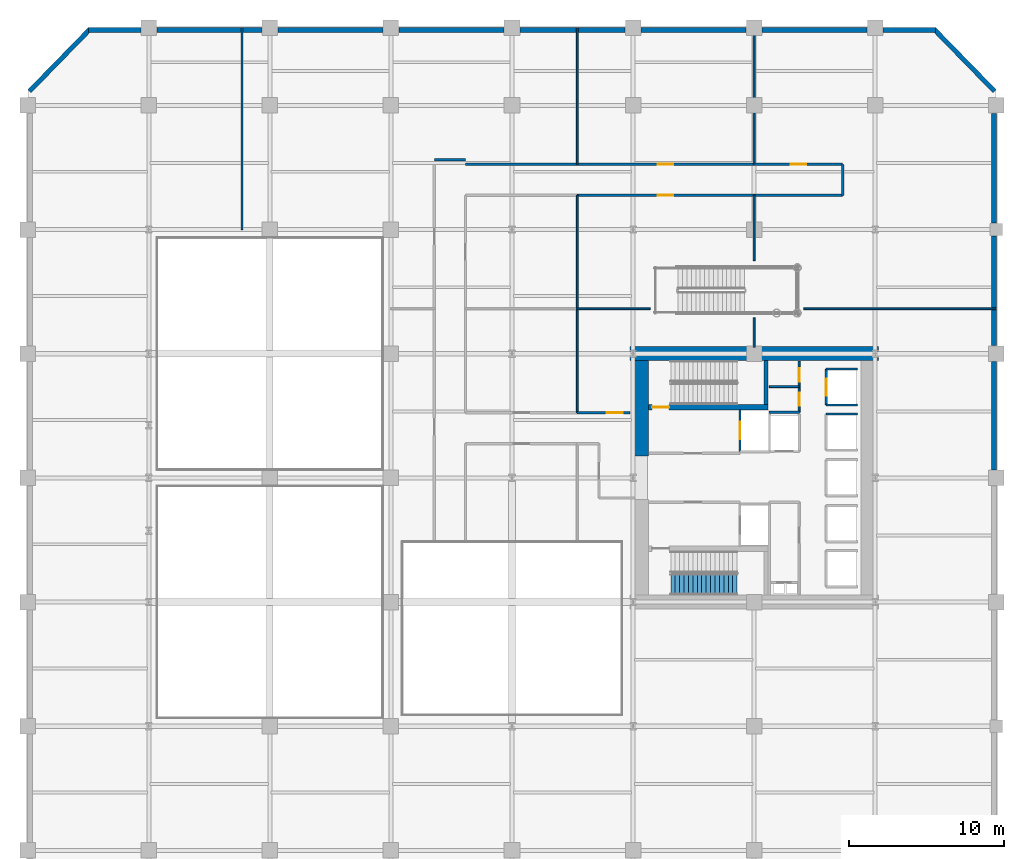
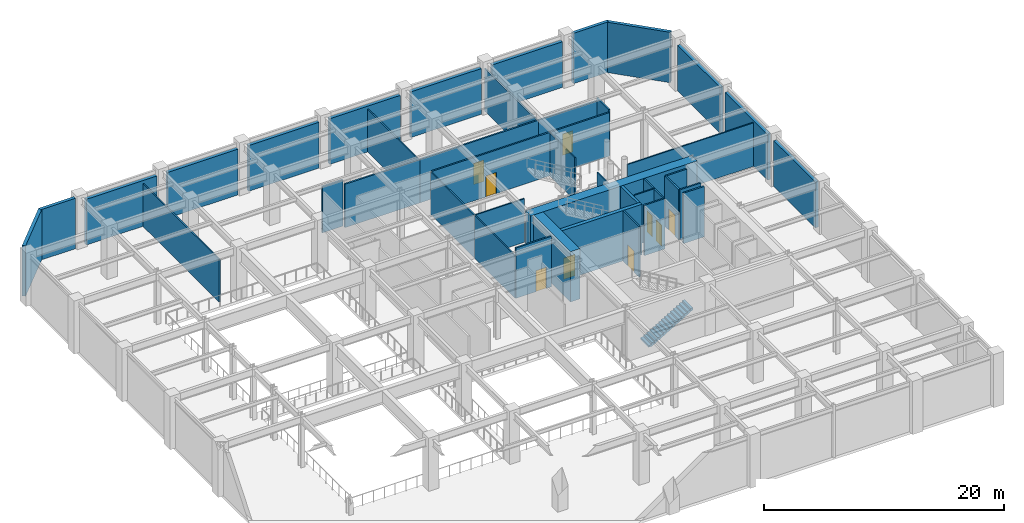
# One storey, part 10 of 15: 42 walls, 9 doors, 1 stair flight, 9 openings, 1 element without a shape of its own.
"""IFC4 building model written with IfcOpenShell, lengths in metres."""

from ifc_helpers import new_model, si_unit, direction, frame, frame_2d, origin, place, context, subcontext, project, spatial, polyline, rectangle, outline, extrude, material, layer, layer_set, type_object, element, fill, aggregate, save


model = new_model("IFC4")

# Units and contexts
model_context = context("Model", 3, precision=1e-05, world=origin(), true_north=direction((0.0, 1.0)))
body_context = subcontext(model_context, "Body", "Model", "MODEL_VIEW")
ifc_project = project(units=[si_unit("LENGTHUNIT", "METRE"), si_unit("AREAUNIT", "SQUARE_METRE"), si_unit("VOLUMEUNIT", "CUBIC_METRE"), si_unit("PLANEANGLEUNIT", "RADIAN"), si_unit("MASSUNIT", "GRAM", prefix="KILO")], contexts=[model_context])

# Site, building, storey
site_placement = place(None, origin())
site = spatial("IfcSite", under=ifc_project, at=site_placement, CompositionType="ELEMENT")
building_placement = place(site_placement, origin())
building = spatial("IfcBuilding", under=site, at=building_placement, Name="Veymaron Broadcast Tower", CompositionType="ELEMENT")
storey_placement = place(building_placement, frame((0.0, 0.0, 5.39990234375)))
storey = spatial("IfcBuildingStorey", under=building, at=storey_placement, Name="L01", CompositionType="ELEMENT", Elevation=5.39990234375)

# Walls
ifc_material_1 = material(Name="Precast concrete C40/50 with mineral-wool insulation", Category="concrete")
ifc_layer_1 = layer(ifc_material_1, 0.300048828125)
ifc_layer_set_1 = layer_set([ifc_layer_1], Name="Precast concrete C40/50 with mineral-wool insulation")
wall_type_1 = type_object("IfcWallType", Name="WALL-EXT-300", PredefinedType="STANDARD", material=ifc_layer_set_1)
wall_1_placement = place(storey_placement, frame((62.260009765625, 24.51806640625, 0.0), z_axis=(0.0, 0.0, 1.0), x_axis=(0.0, 1.0, 0.0)))
element("IfcWall", 1, at=wall_1_placement, inside=storey, type_object=wall_type_1, Name="L01 notched corner facade pier 2-5", PredefinedType="STANDARD", context=body_context, shape_type="SweptSolid", body=[
    extrude(rectangle(XDim=6.9638671875, YDim=0.300048828125, at=frame_2d((3.48193359375, 0.0))), origin(), (0.0, 0.0, 1.0), 4.648193359375),
])
for number, where, z_axis, x_axis, name in (
    (2, (62.260009765625, 32.51806640625, 0.0), (0.0, 0.0, 1.0), (0.0, 1.0, 0.0), "L01 notched corner facade pier 2-6"),
    (3, (62.260009765625, 40.41796875, 0.0), (0.0, 0.0, 1.0), (0.0, 1.0, 0.0), "L01 notched corner facade pier 2-7"),
):
    element("IfcWall", number, at=place(storey_placement, frame(where, z_axis=z_axis, x_axis=x_axis)), inside=storey, type_object=wall_type_1, Name=name, PredefinedType="STANDARD", context=body_context, shape_type="SweptSolid", body=[
        extrude(rectangle(XDim=7.06396484375, YDim=0.300048828125, at=frame_2d((3.531982421875, 0.0))), origin(), (0.0, 0.0, 1.0), 4.648193359375),
    ])
wall_2_placement = place(storey_placement, frame((62.29345703125, 48.90869140625, 0.0), z_axis=(0.0, 0.0, 1.0), x_axis=(-0.698076573741, 0.716023112193, 0.0)))
element("IfcWall", 4, at=wall_2_placement, inside=storey, type_object=wall_type_1, Name="L01 notched corner facade pier 3-1", PredefinedType="STANDARD", context=body_context, shape_type="SweptSolid", body=[
    extrude(rectangle(XDim=5.57763671875, YDim=0.300048828125, at=frame_2d((2.788818359375, 0.0))), origin(), (0.0, 0.0, 1.0), 5.1201171875),
])
wall_3_placement = place(storey_placement, frame((58.5, 52.860107421875, 0.0), z_axis=(0.0, 0.0, 1.0), x_axis=(-1.0, 0.0, 0.0)))
element("IfcWall", 5, at=wall_3_placement, inside=storey, type_object=wall_type_1, Name="L01 notched corner facade pier 4-1", PredefinedType="STANDARD", context=body_context, shape_type="SweptSolid", body=[
    extrude(rectangle(XDim=3.382080078125, YDim=0.300048828125, at=frame_2d((1.69091796875, 0.0))), origin(), (0.0, 0.0, 1.0), 5.1201171875),
])
for number, where, z_axis, x_axis, name in (
    (6, (54.08203125, 52.860107421875, 0.0), (0.0, 0.0, 1.0), (-1.0, 0.0, 0.0), "L01 notched corner facade pier 4-2"),
    (7, (46.281982421875, 52.860107421875, 0.0), (0.0, 0.0, 1.0), (-1.0, 0.0, 0.0), "L01 notched corner facade pier 4-3"),
    (8, (38.48193359375, 52.860107421875, 0.0), (0.0, 0.0, 1.0), (-1.0, 0.0, 0.0), "L01 notched corner facade pier 4-4"),
    (9, (30.681884765625, 52.860107421875, 0.0), (0.0, 0.0, 1.0), (-1.0, 0.0, 0.0), "L01 notched corner facade pier 4-5"),
):
    element("IfcWall", number, at=place(storey_placement, frame(where, z_axis=z_axis, x_axis=x_axis)), inside=storey, type_object=wall_type_1, Name=name, PredefinedType="STANDARD", context=body_context, shape_type="SweptSolid", body=[
        extrude(rectangle(XDim=6.763916015625, YDim=0.300048828125, at=frame_2d((3.3818359375, 0.0))), origin(), (0.0, 0.0, 1.0), 4.648193359375),
    ])
wall_4_placement = place(storey_placement, frame((22.882080078125, 52.860107421875, 0.0), z_axis=(0.0, 0.0, 1.0), x_axis=(-1.0, 0.0, 0.0)))
element("IfcWall", 10, at=wall_4_placement, inside=storey, type_object=wall_type_1, Name="L01 notched corner facade pier 4-6", PredefinedType="STANDARD", context=body_context, shape_type="SweptSolid", body=[
    extrude(rectangle(XDim=6.76416015625, YDim=0.300048828125, at=frame_2d((3.382080078125, 0.0))), origin(), (0.0, 0.0, 1.0), 4.648193359375),
])
wall_5_placement = place(storey_placement, frame((15.08203125, 52.860107421875, 0.0), z_axis=(0.0, 0.0, 1.0), x_axis=(-1.0, 0.0, 0.0)))
element("IfcWall", 11, at=wall_5_placement, inside=storey, type_object=wall_type_1, Name="L01 notched corner facade pier 4-7", PredefinedType="STANDARD", context=body_context, shape_type="SweptSolid", body=[
    extrude(rectangle(XDim=6.763916015625, YDim=0.300048828125, at=frame_2d((3.3818359375, 0.0))), origin(), (0.0, 0.0, 1.0), 4.648193359375),
])
wall_6_placement = place(storey_placement, frame((7.281982421875, 52.860107421875, 0.0), z_axis=(0.0, 0.0, 1.0), x_axis=(-1.0, 0.0, 0.0)))
element("IfcWall", 12, at=wall_6_placement, inside=storey, type_object=wall_type_1, Name="L01 notched corner facade pier 4-8", PredefinedType="STANDARD", context=body_context, shape_type="SweptSolid", body=[
    extrude(rectangle(XDim=3.382080078125, YDim=0.300048828125, at=frame_2d((1.69091796875, 0.0))), origin(), (0.0, 0.0, 1.0), 5.1201171875),
])
wall_7_placement = place(storey_placement, frame((4.000244140625, 52.90234375, 0.0), z_axis=(0.0, 0.0, 1.0), x_axis=(-0.698099014162, -0.716001233536, 0.0)))
element("IfcWall", 13, at=wall_7_placement, inside=storey, type_object=wall_type_1, Name="L01 notched corner facade pier 5-1", PredefinedType="STANDARD", context=body_context, shape_type="SweptSolid", body=[
    extrude(rectangle(XDim=5.57763671875, YDim=0.300048828125, at=frame_2d((2.788818359375, 0.0))), origin(), (0.0, 0.0, 1.0), 5.1201171875),
])

# Wall, opening, door
ifc_material_2 = material(Name="Gypsum fireboard and steel stud framing", Category="steel")
ifc_layer_2 = layer(ifc_material_2, 0.14990234375)
ifc_layer_set_2 = layer_set([ifc_layer_2], Name="Gypsum fireboard and steel stud framing")
wall_type_2 = type_object("IfcWallType", Name="WALL-FIRE-150", PredefinedType="PARTITIONING", material=ifc_layer_set_2)
wall_8_placement = place(storey_placement, frame((45.89501953125, 25.68994140625, 0.0), z_axis=(0.0, 0.0, 1.0), x_axis=(0.0, 1.0, 0.0)))
wall_8 = element("IfcWall", 14, at=wall_8_placement, inside=storey, type_object=wall_type_2, Name="L01 partition IW-L01-SHW-FFL-1", PredefinedType="PARTITIONING", context=body_context, shape_type="SweptSolid", body=[
    extrude(rectangle(XDim=2.719970703125, YDim=0.14990234375, at=frame_2d((1.35986328125, 0.0))), origin(), (0.0, 0.0, 1.0), 5.1201171875),
])
opening_1_placement = place(wall_8_placement, frame((0.81005859375, 0.0, 0.0)))
opening_1 = element("IfcOpeningElement", 15, at=opening_1_placement, cuts=wall_8, Name="Opening LD", PredefinedType="OPENING", context=body_context, shape_type="SweptSolid", body=[
    extrude(rectangle(XDim=1.10009765625, YDim=2.14990234375, at=frame_2d((0.550048828125, 1.074951171875))), frame((0.0, 0.0849609375, 0.0), z_axis=(0.0, -1.0, 0.0), x_axis=(1.0, 0.0, 0.0)), (0.0, 0.0, 1.0), 0.169921875),
])
ifc_material_3 = material(Name="Brushed stainless steel AISI 304", Category="steel")
door_type_1 = type_object("IfcDoorType", Name="DOOR-LIFT-1100", OperationType="DOUBLE_DOOR_SLIDING", PredefinedType="DOOR", material=ifc_material_3)
door_1_placement = place(opening_1_placement, frame((1.10009765625, 0.0, 0.0), z_axis=(0.0, 0.0, 1.0), x_axis=(-1.0, 0.0, 0.0)))
door_1 = element("IfcDoor", 16, at=door_1_placement, inside=storey, type_object=door_type_1, Name="L01 door LD-L01-FFL-1", OperationType="DOUBLE_DOOR_SLIDING", OverallHeight=2.14990234375, OverallWidth=1.10009765625, PredefinedType="DOOR", context=body_context, shape_type="SweptSolid", body=[
    extrude(rectangle(XDim=1.10009765625, YDim=2.14990234375, at=frame_2d((0.550048828125, 1.074951171875))), frame((0.0, 0.02490234375, 0.0), z_axis=(0.0, -1.0, 0.0), x_axis=(1.0, 0.0, 0.0)), (0.0, 0.0, 1.0), 0.050048828125),
])
fill(opening_1, door_1)

wall_9_placement = place(storey_placement, frame((51.445068359375, 28.68994140625, 0.0), z_axis=(0.0, 0.0, 1.0), x_axis=(0.0, 1.0, 0.0)))
wall_9 = element("IfcWall", 17, at=wall_9_placement, inside=storey, type_object=wall_type_2, Name="L01 partition IW-L01-SHW-PL1", PredefinedType="PARTITIONING", context=body_context, shape_type="SweptSolid", body=[
    extrude(rectangle(XDim=2.320068359375, YDim=0.14990234375, at=frame_2d((1.16015625, 0.0))), origin(), (0.0, 0.0, 1.0), 5.1201171875),
])
opening_2_placement = place(wall_9_placement, frame((0.610107421875, 0.0, 0.0)))
opening_2 = element("IfcOpeningElement", 18, at=opening_2_placement, cuts=wall_9, Name="Opening LD", PredefinedType="OPENING", context=body_context, shape_type="SweptSolid", body=[
    extrude(rectangle(XDim=1.10009765625, YDim=2.14990234375, at=frame_2d((0.550048828125, 1.074951171875))), frame((0.0, 0.0849609375, 0.0), z_axis=(0.0, -1.0, 0.0), x_axis=(1.0, 0.0, 0.0)), (0.0, 0.0, 1.0), 0.169921875),
])
door_2_placement = place(opening_2_placement, frame((1.10009765625, 0.0, 0.0), z_axis=(0.0, 0.0, 1.0), x_axis=(-1.0, 0.0, 0.0)))
door_2 = element("IfcDoor", 19, at=door_2_placement, inside=storey, type_object=door_type_1, Name="L01 door LD-L01-PL1", OperationType="DOUBLE_DOOR_SLIDING", OverallHeight=2.14990234375, OverallWidth=1.10009765625, PredefinedType="DOOR", context=body_context, shape_type="SweptSolid", body=[
    extrude(rectangle(XDim=1.10009765625, YDim=2.14990234375, at=frame_2d((0.550048828125, 1.074951171875))), frame((0.0, 0.02490234375, 0.0), z_axis=(0.0, -1.0, 0.0), x_axis=(1.0, 0.0, 0.0)), (0.0, 0.0, 1.0), 0.050048828125),
])
fill(opening_2, door_2)

# Walls
for number, where, z_axis, x_axis, name in (
    (20, (51.445068359375, 28.68994140625, 0.0), (0.0, 0.0, 1.0), (1.0, 0.0, 0.0), "L01 partition IW-L01-SHS-PL1"),
    (21, (51.445068359375, 31.010009765625, 0.0), (0.0, 0.0, 1.0), (1.0, 0.0, 0.0), "L01 partition IW-L01-SHN-PL1"),
    (22, (51.445068359375, 28.110107421875, 0.0), (0.0, 0.0, 1.0), (1.0, 0.0, 0.0), "L01 partition IW-L01-SHN-PM1"),
):
    element("IfcWall", number, at=place(storey_placement, frame(where, z_axis=z_axis, x_axis=x_axis)), inside=storey, type_object=wall_type_2, Name=name, PredefinedType="PARTITIONING", context=body_context, shape_type="SweptSolid", body=[
        extrude(rectangle(XDim=2.014892578125, YDim=0.14990234375, at=frame_2d((1.00732421875, 0.0))), origin(), (0.0, 0.0, 1.0), 5.1201171875),
    ])
wall_10_placement = place(storey_placement, frame((47.760009765625, 28.219970703125, 0.0), z_axis=(0.0, 0.0, 1.0), x_axis=(1.0, 0.0, 0.0)))
element("IfcWall", 23, at=wall_10_placement, inside=storey, type_object=wall_type_2, Name="L01 partition IW-L01-NM-S", PredefinedType="PARTITIONING", context=body_context, shape_type="SweptSolid", body=[
    extrude(rectangle(XDim=1.9599609375, YDim=0.14990234375, at=frame_2d((0.97998046875, 0.0))), origin(), (0.0, 0.0, 1.0), 5.1201171875),
])

# Wall, opening, door
wall_11_placement = place(storey_placement, frame((35.39990234375, 28.199951171875, 0.0), z_axis=(0.0, 0.0, 1.0), x_axis=(1.0, 0.0, 0.0)))
wall_11 = element("IfcWall", 24, at=wall_11_placement, inside=storey, type_object=wall_type_2, Name="L01 partition IW-L01-P09", PredefinedType="PARTITIONING", context=body_context, shape_type="SweptSolid", body=[
    extrude(rectangle(XDim=3.400146484375, YDim=0.14990234375, at=frame_2d((1.7001953125, 0.0))), origin(), (0.0, 0.0, 1.0), 5.1201171875),
])
opening_3_placement = place(wall_11_placement, frame((1.919921875, 0.0, 0.0)))
opening_3 = element("IfcOpeningElement", 25, at=opening_3_placement, cuts=wall_11, Name="Opening ID-RM3", PredefinedType="OPENING", context=body_context, shape_type="SweptSolid", body=[
    extrude(rectangle(XDim=1.0, YDim=2.14990234375, at=frame_2d((0.5, 1.074951171875))), frame((0.0, 0.0849609375, 0.0), z_axis=(0.0, -1.0, 0.0), x_axis=(1.0, 0.0, 0.0)), (0.0, 0.0, 1.0), 0.169921875),
])
ifc_material_4 = material(Name="Acoustic solid-core European oak veneer timber", Category="wood")
door_type_2 = type_object("IfcDoorType", Name="DOOR-INT-1000", OperationType="NOTDEFINED", PredefinedType="DOOR", material=ifc_material_4)
door_3_placement = place(opening_3_placement, origin())
door_3 = element("IfcDoor", 26, at=door_3_placement, inside=storey, type_object=door_type_2, Name="L01 door DR-L01-P09", OperationType="SINGLE_SWING_RIGHT", OverallHeight=2.14990234375, OverallWidth=1.0, PredefinedType="DOOR", context=body_context, shape_type="SweptSolid", body=[
    extrude(rectangle(XDim=1.0, YDim=2.14990234375, at=frame_2d((0.5, 1.074951171875))), frame((0.0, 0.02490234375, 0.0), z_axis=(0.0, -1.0, 0.0), x_axis=(1.0, 0.0, 0.0)), (0.0, 0.0, 1.0), 0.050048828125),
])
fill(opening_3, door_3)

wall_12_placement = place(storey_placement, frame((35.39990234375, 42.199951171875, 0.0), z_axis=(0.0, 0.0, 1.0), x_axis=(1.0, 0.0, 0.0)))
wall_12 = element("IfcWall", 27, at=wall_12_placement, inside=storey, type_object=wall_type_2, Name="L01 partition IW-L01-P12", PredefinedType="PARTITIONING", context=body_context, shape_type="SweptSolid", body=[
    extrude(rectangle(XDim=11.400146484375, YDim=0.14990234375, at=frame_2d((5.7001953125, 0.0))), origin(), (0.0, 0.0, 1.0), 4.4150390625),
])
opening_4_placement = place(wall_12_placement, frame((5.199951171875, 0.0, 0.0)))
opening_4 = element("IfcOpeningElement", 28, at=opening_4_placement, cuts=wall_12, Name="Opening ID-RM3", PredefinedType="OPENING", context=body_context, shape_type="SweptSolid", body=[
    extrude(rectangle(XDim=1.0, YDim=2.14990234375, at=frame_2d((0.5, 1.074951171875))), frame((0.0, 0.0849609375, 0.0), z_axis=(0.0, -1.0, 0.0), x_axis=(1.0, 0.0, 0.0)), (0.0, 0.0, 1.0), 0.169921875),
])
door_4_placement = place(opening_4_placement, frame((1.0, 0.0, 0.0), z_axis=(0.0, 0.0, 1.0), x_axis=(-1.0, 0.0, 0.0)))
door_4 = element("IfcDoor", 29, at=door_4_placement, inside=storey, type_object=door_type_2, Name="L01 door DR-L01-P12", OperationType="SINGLE_SWING_LEFT", OverallHeight=2.14990234375, OverallWidth=1.0, PredefinedType="DOOR", context=body_context, shape_type="SweptSolid", body=[
    extrude(rectangle(XDim=1.0, YDim=2.14990234375, at=frame_2d((0.5, 1.074951171875))), frame((0.0, 0.02490234375, 0.0), z_axis=(0.0, -1.0, 0.0), x_axis=(1.0, 0.0, 0.0)), (0.0, 0.0, 1.0), 0.050048828125),
])
fill(opening_4, door_4)

wall_13_placement = place(storey_placement, frame((46.800048828125, 44.199951171875, 0.0), z_axis=(0.0, 0.0, 1.0), x_axis=(1.0, 0.0, 0.0)))
wall_13 = element("IfcWall", 30, at=wall_13_placement, inside=storey, type_object=wall_type_2, Name="L01 partition IW-L01-P13", PredefinedType="PARTITIONING", context=body_context, shape_type="SweptSolid", body=[
    extrude(rectangle(XDim=5.699951171875, YDim=0.14990234375, at=frame_2d((2.85009765625, 0.0))), origin(), (0.0, 0.0, 1.0), 4.4150390625),
])
opening_5_placement = place(wall_13_placement, frame((2.35009765625, 0.0, 0.0)))
opening_5 = element("IfcOpeningElement", 31, at=opening_5_placement, cuts=wall_13, Name="Opening ID-RM3", PredefinedType="OPENING", context=body_context, shape_type="SweptSolid", body=[
    extrude(rectangle(XDim=1.0, YDim=2.14990234375, at=frame_2d((0.5, 1.074951171875))), frame((0.0, 0.0849609375, 0.0), z_axis=(0.0, -1.0, 0.0), x_axis=(1.0, 0.0, 0.0)), (0.0, 0.0, 1.0), 0.169921875),
])
door_5_placement = place(opening_5_placement, origin())
door_5 = element("IfcDoor", 32, at=door_5_placement, inside=storey, type_object=door_type_2, Name="L01 door DR-L01-P13", OperationType="SINGLE_SWING_RIGHT", OverallHeight=2.14990234375, OverallWidth=1.0, PredefinedType="DOOR", context=body_context, shape_type="SweptSolid", body=[
    extrude(rectangle(XDim=1.0, YDim=2.14990234375, at=frame_2d((0.5, 1.074951171875))), frame((0.0, 0.02490234375, 0.0), z_axis=(0.0, -1.0, 0.0), x_axis=(1.0, 0.0, 0.0)), (0.0, 0.0, 1.0), 0.050048828125),
])
fill(opening_5, door_5)

wall_14_placement = place(storey_placement, frame((35.39990234375, 44.199951171875, 0.0), z_axis=(0.0, 0.0, 1.0), x_axis=(1.0, 0.0, 0.0)))
wall_14 = element("IfcWall", 33, at=wall_14_placement, inside=storey, type_object=wall_type_2, Name="L01 partition IW-L01-P19", PredefinedType="PARTITIONING", context=body_context, shape_type="SweptSolid", body=[
    extrude(rectangle(XDim=11.400146484375, YDim=0.14990234375, at=frame_2d((5.7001953125, 0.0))), origin(), (0.0, 0.0, 1.0), 4.4150390625),
])
opening_6_placement = place(wall_14_placement, frame((5.199951171875, 0.0, 0.0)))
opening_6 = element("IfcOpeningElement", 34, at=opening_6_placement, cuts=wall_14, Name="Opening ID-RM3", PredefinedType="OPENING", context=body_context, shape_type="SweptSolid", body=[
    extrude(rectangle(XDim=1.0, YDim=2.14990234375, at=frame_2d((0.5, 1.074951171875))), frame((0.0, 0.0849609375, 0.0), z_axis=(0.0, -1.0, 0.0), x_axis=(1.0, 0.0, 0.0)), (0.0, 0.0, 1.0), 0.169921875),
])
door_6_placement = place(opening_6_placement, origin())
door_6 = element("IfcDoor", 35, at=door_6_placement, inside=storey, type_object=door_type_2, Name="L01 door DR-L01-P19", OperationType="SINGLE_SWING_RIGHT", OverallHeight=2.14990234375, OverallWidth=1.0, PredefinedType="DOOR", context=body_context, shape_type="SweptSolid", body=[
    extrude(rectangle(XDim=1.0, YDim=2.14990234375, at=frame_2d((0.5, 1.074951171875))), frame((0.0, 0.02490234375, 0.0), z_axis=(0.0, -1.0, 0.0), x_axis=(1.0, 0.0, 0.0)), (0.0, 0.0, 1.0), 0.050048828125),
])
fill(opening_6, door_6)

# Walls
wall_15_placement = place(storey_placement, frame((46.800048828125, 42.199951171875, 0.0), z_axis=(0.0, 0.0, 1.0), x_axis=(1.0, 0.0, 0.0)))
element("IfcWall", 36, at=wall_15_placement, inside=storey, type_object=wall_type_2, Name="L01 partition IW-L01-P14", PredefinedType="PARTITIONING", context=body_context, shape_type="SweptSolid", body=[
    extrude(rectangle(XDim=5.699951171875, YDim=0.14990234375, at=frame_2d((2.85009765625, 0.0))), origin(), (0.0, 0.0, 1.0), 4.4150390625),
])
wall_16_placement = place(storey_placement, frame((52.5, 42.199951171875, 0.0), z_axis=(0.0, 0.0, 1.0), x_axis=(0.0, 1.0, 0.0)))
element("IfcWall", 37, at=wall_16_placement, inside=storey, type_object=wall_type_2, Name="L01 partition IW-L01-P15", PredefinedType="PARTITIONING", context=body_context, shape_type="SweptSolid", body=[
    extrude(rectangle(XDim=2.0, YDim=0.14990234375, at=frame_2d((1.0, 0.0))), origin(), (0.0, 0.0, 1.0), 4.701171875),
])
wall_17_placement = place(storey_placement, frame((28.199951171875, 44.199951171875, 0.0), z_axis=(0.0, 0.0, 1.0), x_axis=(1.0, 0.0, 0.0)))
element("IfcWall", 38, at=wall_17_placement, inside=storey, type_object=wall_type_2, Name="L01 partition IW-L01-P17", PredefinedType="PARTITIONING", context=body_context, shape_type="SweptSolid", body=[
    extrude(rectangle(XDim=7.199951171875, YDim=0.14990234375, at=frame_2d((3.60009765625, 0.0))), origin(), (0.0, 0.0, 1.0), 4.4150390625),
])
wall_18_placement = place(storey_placement, frame((26.199951171875, 44.5, 0.0), z_axis=(0.0, 0.0, 1.0), x_axis=(1.0, 0.0, 0.0)))
element("IfcWall", 39, at=wall_18_placement, inside=storey, type_object=wall_type_2, Name="L01 partition IW-L01-P18", PredefinedType="PARTITIONING", context=body_context, shape_type="SweptSolid", body=[
    extrude(rectangle(XDim=2.0, YDim=0.14990234375, at=frame_2d((1.0, 0.0))), origin(), (0.0, 0.0, 1.0), 4.701171875),
])
ifc_material_5 = material(Name="Acoustic gypsum board and galvanized stud", Category="gypsum")
ifc_layer_3 = layer(ifc_material_5, 0.1201171875)
ifc_layer_set_3 = layer_set([ifc_layer_3], Name="Acoustic gypsum board and galvanized stud")
wall_type_3 = type_object("IfcWallType", Name="WALL-PART-120", PredefinedType="PARTITIONING", material=ifc_layer_set_3)
wall_19_placement = place(storey_placement, frame((47.780029296875, 29.8798828125, 0.0), z_axis=(0.0, 0.0, 1.0), x_axis=(1.0, 0.0, 0.0)))
element("IfcWall", 40, at=wall_19_placement, inside=storey, type_object=wall_type_3, Name="L01 partition IW-L01-NM-M", PredefinedType="PARTITIONING", context=body_context, shape_type="SweptSolid", body=[
    extrude(rectangle(XDim=1.919921875, YDim=0.1201171875, at=frame_2d((0.9599609375, 0.0))), origin(), (0.0, 0.0, 1.0), 5.1201171875),
])

# Wall, openings, doors
wall_20_placement = place(storey_placement, frame((49.699951171875, 28.219970703125, 0.0), z_axis=(0.0, 0.0, 1.0), x_axis=(0.0, 1.0, 0.0)))
wall_20 = element("IfcWall", 41, at=wall_20_placement, inside=storey, type_object=wall_type_3, Name="L01 partition IW-L01-NM-E", PredefinedType="PARTITIONING", context=body_context, shape_type="SweptSolid", body=[
    extrude(rectangle(XDim=3.300048828125, YDim=0.1201171875, at=frame_2d((1.64990234375, 0.0))), origin(), (0.0, 0.0, 1.0), 5.1201171875),
])
opening_7_placement = place(wall_20_placement, frame((0.419921875, 0.0, 0.0)))
opening_7 = element("IfcOpeningElement", 42, at=opening_7_placement, cuts=wall_20, Name="Opening ID-WC1", PredefinedType="OPENING", context=body_context, shape_type="SweptSolid", body=[
    extrude(rectangle(XDim=0.85009765625, YDim=2.14990234375, at=frame_2d((0.425048828125, 1.074951171875))), frame((0.0, 0.070068359375, 0.0), z_axis=(0.0, -1.0, 0.0), x_axis=(1.0, 0.0, 0.0)), (0.0, 0.0, 1.0), 0.14013671875),
])
opening_8_placement = place(wall_20_placement, frame((1.97998046875, 0.0, 0.0)))
opening_8 = element("IfcOpeningElement", 43, at=opening_8_placement, cuts=wall_20, Name="Opening ID-WC1", PredefinedType="OPENING", context=body_context, shape_type="SweptSolid", body=[
    extrude(rectangle(XDim=0.85009765625, YDim=2.14990234375, at=frame_2d((0.425048828125, 1.074951171875))), frame((0.0, 0.070068359375, 0.0), z_axis=(0.0, -1.0, 0.0), x_axis=(1.0, 0.0, 0.0)), (0.0, 0.0, 1.0), 0.14013671875),
])
ifc_material_6 = material(Name="Moisture-resistant high-pressure laminate timber", Category="wood")
door_type_3 = type_object("IfcDoorType", Name="DOOR-INT-850", OperationType="NOTDEFINED", PredefinedType="DOOR", material=ifc_material_6)
door_7_placement = place(opening_7_placement, frame((0.85009765625, 0.0, 0.0), z_axis=(0.0, 0.0, 1.0), x_axis=(-1.0, 0.0, 0.0)))
door_7 = element("IfcDoor", 44, at=door_7_placement, inside=storey, type_object=door_type_3, Name="L01 door DR-L01-NMA", OperationType="SINGLE_SWING_LEFT", OverallHeight=2.14990234375, OverallWidth=0.85009765625, PredefinedType="DOOR", context=body_context, shape_type="SweptSolid", body=[
    extrude(rectangle(XDim=0.85009765625, YDim=2.14990234375, at=frame_2d((0.425048828125, 1.074951171875))), frame((0.0, 0.02490234375, 0.0), z_axis=(0.0, -1.0, 0.0), x_axis=(1.0, 0.0, 0.0)), (0.0, 0.0, 1.0), 0.050048828125),
])
fill(opening_7, door_7)
door_8_placement = place(opening_8_placement, frame((0.85009765625, 0.0, 0.0), z_axis=(0.0, 0.0, 1.0), x_axis=(-1.0, 0.0, 0.0)))
door_8 = element("IfcDoor", 45, at=door_8_placement, inside=storey, type_object=door_type_3, Name="L01 door DR-L01-NMB", OperationType="SINGLE_SWING_RIGHT", OverallHeight=2.14990234375, OverallWidth=0.85009765625, PredefinedType="DOOR", context=body_context, shape_type="SweptSolid", body=[
    extrude(rectangle(XDim=0.85009765625, YDim=2.14990234375, at=frame_2d((0.425048828125, 1.074951171875))), frame((0.0, 0.02490234375, 0.0), z_axis=(0.0, -1.0, 0.0), x_axis=(1.0, 0.0, 0.0)), (0.0, 0.0, 1.0), 0.050048828125),
])
fill(opening_8, door_8)

# Walls
wall_21_placement = place(storey_placement, frame((46.800048828125, 32.39990234375, 0.0), z_axis=(0.0, 0.0, 1.0), x_axis=(0.0, 1.0, 0.0)))
element("IfcWall", 46, at=wall_21_placement, inside=storey, type_object=wall_type_3, Name="L01 partition IW-L01-P21", PredefinedType="PARTITIONING", context=body_context, shape_type="SweptSolid", body=[
    extrude(rectangle(XDim=1.900146484375, YDim=0.1201171875, at=frame_2d((0.9501953125, 0.0))), origin(), (0.0, 0.0, 1.0), 5.1201171875),
])
wall_22_placement = place(storey_placement, frame((50.0, 34.89990234375, 0.0), z_axis=(0.0, 0.0, 1.0), x_axis=(1.0, 0.0, 0.0)))
element("IfcWall", 47, at=wall_22_placement, inside=storey, type_object=wall_type_3, Name="L01 partition IW-L01-P22", PredefinedType="PARTITIONING", context=body_context, shape_type="SweptSolid", body=[
    extrude(rectangle(XDim=12.39990234375, YDim=0.1201171875, at=frame_2d((6.199951171875, 0.0))), origin(), (0.0, 0.0, 1.0), 4.4150390625),
])
wall_23_placement = place(storey_placement, frame((13.800048828125, 40.0, 0.0), z_axis=(0.0, 0.0, 1.0), x_axis=(0.0, 1.0, 0.0)))
element("IfcWall", 48, at=wall_23_placement, inside=storey, type_object=wall_type_3, Name="L01 partition IW-L01-P23", PredefinedType="PARTITIONING", context=body_context, shape_type="SweptSolid", body=[
    extrude(rectangle(XDim=13.0, YDim=0.1201171875, at=frame_2d((6.5, 0.0))), origin(), (0.0, 0.0, 1.0), 4.338134765625),
])
wall_24_placement = place(storey_placement, frame((35.39990234375, 28.199951171875, 0.0), z_axis=(0.0, 0.0, 1.0), x_axis=(0.0, 1.0, 0.0)))
element("IfcWall", 49, at=wall_24_placement, inside=storey, type_object=wall_type_3, Name="L01 partition IW-L01-P25", PredefinedType="PARTITIONING", context=body_context, shape_type="SweptSolid", body=[
    extrude(rectangle(XDim=6.699951171875, YDim=0.1201171875, at=frame_2d((3.35009765625, 0.0))), origin(), (0.0, 0.0, 1.0), 4.338134765625),
])
wall_25_placement = place(storey_placement, frame((35.39990234375, 34.89990234375, 0.0), z_axis=(0.0, 0.0, 1.0), x_axis=(1.0, 0.0, 0.0)))
element("IfcWall", 50, at=wall_25_placement, inside=storey, type_object=wall_type_3, Name="L01 partition IW-L01-P27", PredefinedType="PARTITIONING", context=body_context, shape_type="SweptSolid", body=[
    extrude(rectangle(XDim=4.7001953125, YDim=0.1201171875, at=frame_2d((2.35009765625, 0.0))), origin(), (0.0, 0.0, 1.0), 4.4150390625),
])
wall_26_placement = place(storey_placement, frame((35.39990234375, 34.89990234375, 0.0), z_axis=(0.0, 0.0, 1.0), x_axis=(0.0, 1.0, 0.0)))
element("IfcWall", 51, at=wall_26_placement, inside=storey, type_object=wall_type_3, Name="L01 partition IW-L01-P28", PredefinedType="PARTITIONING", context=body_context, shape_type="SweptSolid", body=[
    extrude(rectangle(XDim=7.300048828125, YDim=0.1201171875, at=frame_2d((3.64990234375, 0.0))), origin(), (0.0, 0.0, 1.0), 4.338134765625),
])
wall_27_placement = place(storey_placement, frame((46.800048828125, 38.0, 0.0), z_axis=(0.0, 0.0, 1.0), x_axis=(0.0, 1.0, 0.0)))
element("IfcWall", 52, at=wall_27_placement, inside=storey, type_object=wall_type_3, Name="L01 partition IW-L01-P29", PredefinedType="PARTITIONING", context=body_context, shape_type="SweptSolid", body=[
    extrude(rectangle(XDim=4.199951171875, YDim=0.1201171875, at=frame_2d((2.10009765625, 0.0))), origin(), (0.0, 0.0, 1.0), 4.338134765625),
])
for number, where, z_axis, x_axis, name in (
    (53, (46.800048828125, 44.199951171875, 0.0), (0.0, 0.0, 1.0), (0.0, 1.0, 0.0), "L01 partition IW-L01-P30"),
    (54, (35.39990234375, 44.199951171875, 0.0), (0.0, 0.0, 1.0), (0.0, 1.0, 0.0), "L01 partition IW-L01-P31"),
):
    element("IfcWall", number, at=place(storey_placement, frame(where, z_axis=z_axis, x_axis=x_axis)), inside=storey, type_object=wall_type_3, Name=name, PredefinedType="PARTITIONING", context=body_context, shape_type="SweptSolid", body=[
        extrude(rectangle(XDim=8.800048828125, YDim=0.1201171875, at=frame_2d((4.39990234375, 0.0))), origin(), (0.0, 0.0, 1.0), 4.338134765625),
    ])
ifc_material_7 = material(Name="Concrete C50/60", Category="concrete")
ifc_layer_4 = layer(ifc_material_7, 0.25)
ifc_layer_set_4 = layer_set([ifc_layer_4], Name="Concrete C50/60")
wall_type_4 = type_object("IfcWallType", Name="WALL-SHEAR-250", PredefinedType="SHEAR", material=ifc_layer_set_4)
wall_28_placement = place(storey_placement, frame((47.56494140625, 28.72998046875, 0.0), z_axis=(0.0, 0.0, 1.0), x_axis=(0.0, 1.0, 0.0)))
element("IfcWall", 55, at=wall_28_placement, inside=storey, type_object=wall_type_4, Name="L01 Core Wall north stair east shear", PredefinedType="SHEAR", context=body_context, shape_type="SweptSolid", body=[
    extrude(rectangle(XDim=2.820068359375, YDim=0.25, at=frame_2d((1.41015625, 0.0))), origin(), (0.0, 0.0, 1.0), 5.1201171875),
])

# Wall, opening, door
ifc_layer_5 = layer(ifc_material_7, 0.35009765625)
ifc_layer_set_5 = layer_set([ifc_layer_5], Name="Concrete C50/60")
wall_type_5 = type_object("IfcWallType", Name="WALL-SHEAR-350", PredefinedType="SHEAR", material=ifc_layer_set_5)
wall_29_placement = place(storey_placement, frame((39.97998046875, 28.554931640625, 0.0), z_axis=(0.0, 0.0, 1.0), x_axis=(1.0, 0.0, 0.0)))
wall_29 = element("IfcWall", 56, at=wall_29_placement, inside=storey, type_object=wall_type_5, Name="L01 Core Wall north stair spine", PredefinedType="SHEAR", context=body_context, shape_type="SweptSolid", body=[
    extrude(rectangle(XDim=7.7099609375, YDim=0.35009765625, at=frame_2d((3.85498046875, 0.0))), origin(), (0.0, 0.0, 1.0), 5.1201171875),
])
opening_9_placement = place(wall_29_placement, frame((0.25, 0.0, 0.0)))
opening_9 = element("IfcOpeningElement", 57, at=opening_9_placement, cuts=wall_29, Name="Opening ID-ST1", PredefinedType="OPENING", context=body_context, shape_type="SweptSolid", body=[
    extrude(rectangle(XDim=1.10009765625, YDim=2.14990234375, at=frame_2d((0.550048828125, 1.074951171875))), frame((0.0, 0.18505859375, 0.0), z_axis=(0.0, -1.0, 0.0), x_axis=(1.0, 0.0, 0.0)), (0.0, 0.0, 1.0), 0.3701171875),
])
ifc_material_8 = material(Name="Fire-rated painted hollow steel ASTM A653", Category="steel")
door_type_4 = type_object("IfcDoorType", Name="DOOR-STAIR-1100", OperationType="NOTDEFINED", PredefinedType="DOOR", material=ifc_material_8)
door_9_placement = place(opening_9_placement, origin())
door_9 = element("IfcDoor", 58, at=door_9_placement, inside=storey, type_object=door_type_4, Name="L01 exit stair ST1 fire door", OperationType="SINGLE_SWING_RIGHT", OverallHeight=2.14990234375, OverallWidth=1.10009765625, PredefinedType="DOOR", context=body_context, shape_type="SweptSolid", body=[
    extrude(rectangle(XDim=1.10009765625, YDim=2.14990234375, at=frame_2d((0.550048828125, 1.074951171875))), frame((0.0, 0.02490234375, 0.0), z_axis=(0.0, -1.0, 0.0), x_axis=(1.0, 0.0, 0.0)), (0.0, 0.0, 1.0), 0.050048828125),
])
fill(opening_9, door_9)

# Walls
ifc_material_9 = material(Name="Concrete C70/85", Category="concrete")
ifc_layer_6 = layer(ifc_material_9, 0.89990234375)
ifc_layer_set_6 = layer_set([ifc_layer_6], Name="Concrete C70/85")
wall_type_6 = type_object("IfcWallType", Name="WALL-SHEAR-900", PredefinedType="SHEAR", material=ifc_layer_set_6)
wall_30_placement = place(storey_placement, frame((38.800048828125, 32.0, 0.0), z_axis=(0.0, 0.0, 1.0), x_axis=(1.0, 0.0, 0.0)))
element("IfcWall", 59, at=wall_30_placement, inside=storey, type_object=wall_type_6, Name="L01 Core Wall north shear", PredefinedType="SHEAR", context=body_context, shape_type="SweptSolid", body=[
    extrude(rectangle(XDim=16.0, YDim=0.89990234375, at=frame_2d((8.0, 0.0))), origin(), (0.0, 0.0, 1.0), 5.1201171875),
])
wall_31_placement = place(storey_placement, frame((39.530029296875, 25.39990234375, 0.0), z_axis=(0.0, 0.0, 1.0), x_axis=(0.0, 1.0, 0.0)))
element("IfcWall", 60, at=wall_31_placement, inside=storey, type_object=wall_type_6, Name="L01 Core Wall west-north shear", PredefinedType="SHEAR", context=body_context, shape_type="SweptSolid", body=[
    extrude(rectangle(XDim=6.150146484375, YDim=0.89990234375, at=frame_2d((3.0751953125, 0.0))), origin(), (0.0, 0.0, 1.0), 5.1201171875),
])

# Stair, stair flight
stair_type = type_object("IfcStairType", Name="STAIR-CORE-2", PredefinedType="HALF_TURN_STAIR", material=ifc_material_7)
stair_placement = place(storey_placement, origin())
stair = element("IfcStair", 61, at=stair_placement, inside=storey, type_object=stair_type, Name="L01 South protected dog-leg exit stair ST2", PredefinedType="HALF_TURN_STAIR")
ifc_material_10 = material(Name="Precast concrete C50/60", Category="concrete")
stair_flight_type = type_object("IfcStairFlightType", Name="FLT-CORE-RC", PredefinedType="STRAIGHT", material=ifc_material_10)
stair_flight_placement = place(storey_placement, frame((41.429931640625, 17.139892578125, 0.0), z_axis=(0.0, 0.0, 1.0), x_axis=(1.0, 0.0, 0.0)))
stair_flight = element("IfcStairFlight", 62, at=stair_flight_placement, type_object=stair_flight_type, Name="ST2 flight 1", NumberOfRisers=16, NumberOfTreads=15, PredefinedType="STRAIGHT", RiserHeight=0.16875, TreadLength=0.285, context=body_context, shape_type="SweptSolid", body=[
    extrude(outline(polyline([(0.0, 0.0), (0.0, 0.168701171875), (0.284912109375, 0.168701171875), (0.284912109375, 0.33740234375), (0.570068359375, 0.33740234375), (0.570068359375, 0.50634765625), (0.85498046875, 0.50634765625), (0.85498046875, 0.675048828125), (1.139892578125, 0.675048828125), (1.139892578125, 0.84375), (1.425048828125, 0.84375), (1.425048828125, 1.012451171875), (1.7099609375, 1.012451171875), (1.7099609375, 1.18115234375), (1.9951171875, 1.18115234375), (1.9951171875, 1.35009765625), (2.280029296875, 1.35009765625), (2.280029296875, 1.518798828125), (2.56494140625, 1.518798828125), (2.56494140625, 1.6875), (2.85009765625, 1.6875), (2.85009765625, 1.856201171875), (3.135009765625, 1.856201171875), (3.135009765625, 2.02490234375), (3.419921875, 2.02490234375), (3.419921875, 2.19384765625), (3.705078125, 2.19384765625), (3.705078125, 2.362548828125), (3.989990234375, 2.362548828125), (3.989990234375, 2.53125), (4.27490234375, 2.53125), (4.27490234375, 2.699951171875), (4.27490234375, 2.35693359375), (0.294189453125, 0.0), (0.0, 0.0)])), frame((0.0, 0.68994140625, 0.0), z_axis=(0.0, -1.0, 0.0), x_axis=(1.0, 0.0, 0.0)), (0.0, 0.0, 1.0), 1.3798828125),
])
aggregate(stair, [stair_flight])

save(model, "model.ifc")
